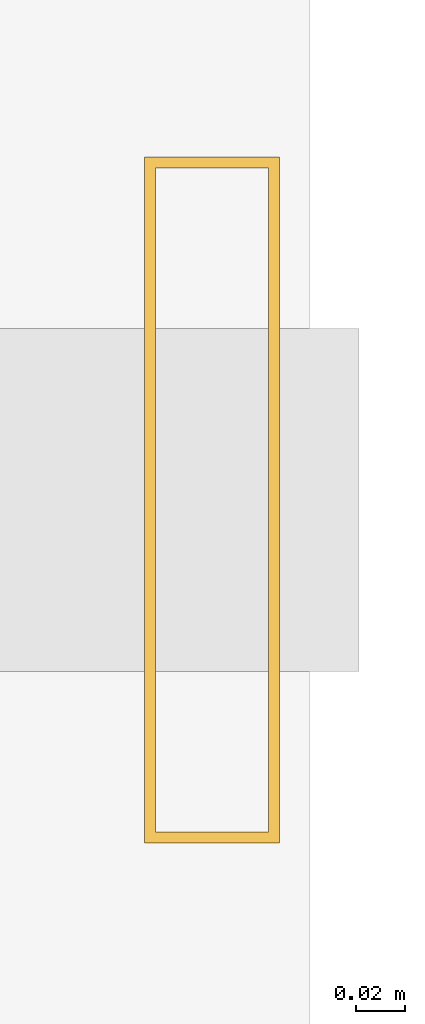
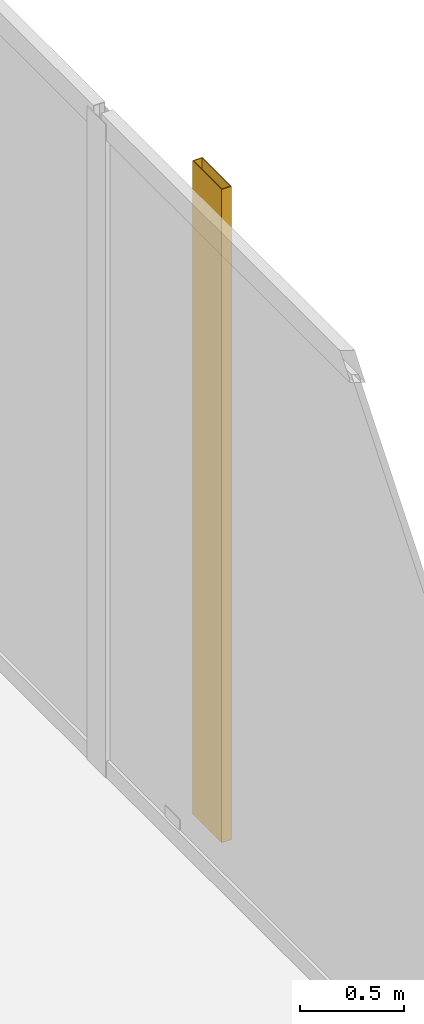
# One storey, part 32 of 32: 1 shading device.
"""IFC4 building model written with IfcOpenShell, lengths in metres."""

from ifc_helpers import new_model, si_unit, direction, frame, origin, origin_2d, place, context, subcontext, project, spatial, hollow_rectangle, extrude, material, material_profile, profile_set, type_object, element, save


model = new_model("IFC4")

# Units and contexts
model_context = context("Model", 3, precision=1e-05, world=origin(), true_north=direction((0.0, 1.0)))
body_context = subcontext(model_context, "Body", "Model", "MODEL_VIEW")
ifc_project = project(units=[si_unit("LENGTHUNIT", "METRE"), si_unit("AREAUNIT", "SQUARE_METRE"), si_unit("VOLUMEUNIT", "CUBIC_METRE"), si_unit("PLANEANGLEUNIT", "RADIAN"), si_unit("MASSUNIT", "GRAM", prefix="KILO")], contexts=[model_context])

# Site, building, storey
site_placement = place(None, origin())
site = spatial("IfcSite", under=ifc_project, at=site_placement, CompositionType="ELEMENT")
building_placement = place(site_placement, origin())
building = spatial("IfcBuilding", under=site, at=building_placement, Name="Kolvaren Waterfront Exchange", CompositionType="ELEMENT")
storey_placement = place(building_placement, frame((0.0, 0.0, 352.0)))
storey = spatial("IfcBuildingStorey", under=building, at=storey_placement, Name="L90", CompositionType="ELEMENT", Elevation=352.0)

# Shading device
ifc_material = material(Name="Anodised bronze aluminium 6063-T6", Category="aluminium")
ifc_material_profile = material_profile(ifc_material, hollow_rectangle(XDim=0.054931640625, YDim=0.280029296875, WallThickness=0.00439453125, at=origin_2d()), Name="BRZ-FIN-280x55x4.5")
ifc_profile_set = profile_set([ifc_material_profile], Name="Anodised bronze aluminium 6063-T6")
shading_device_type = type_object("IfcShadingDeviceType", Name="ARC-FIN-280", PredefinedType="USERDEFINED", material=ifc_profile_set)
shading_device_placement = place(storey_placement, frame((21.360107421875, 38.39990234375, 0.0), z_axis=(0.0, 0.0, 1.0), x_axis=(1.0, 0.0, 0.0)))
element("IfcShadingDevice", 1, at=shading_device_placement, inside=storey, type_object=shading_device_type, Name="L90 anodised bronze solar shading fin FIN-L90-E3", ObjectType="SOLAR FIN", PredefinedType="USERDEFINED", context=body_context, shape_type="SweptSolid", body=[
    extrude(hollow_rectangle(XDim=0.054931640625, YDim=0.280029296875, WallThickness=0.00439453125, at=origin_2d()), origin(), (0.0, 0.0, 1.0), 3.820068359375),
])

save(model, "model.ifc")
